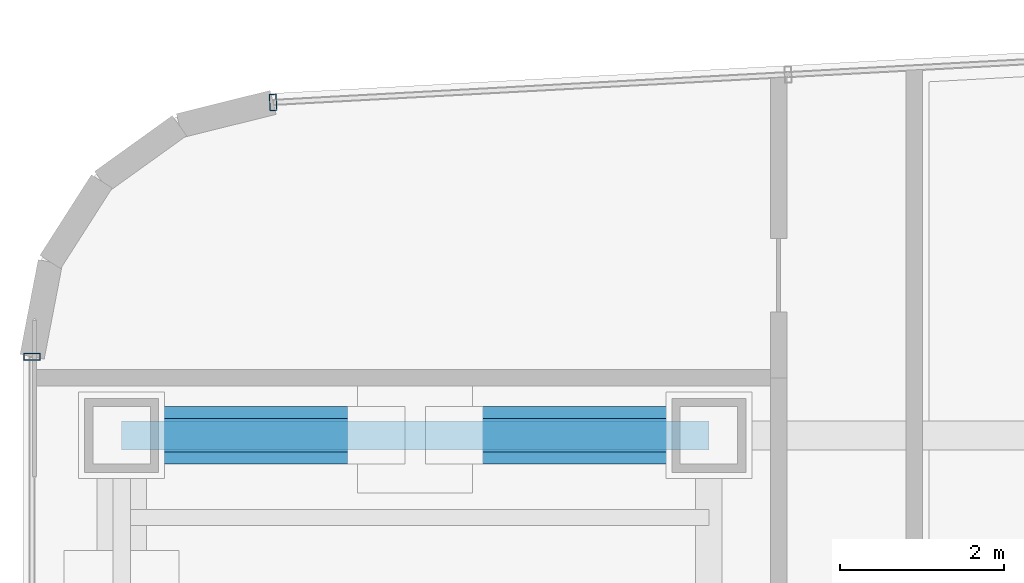
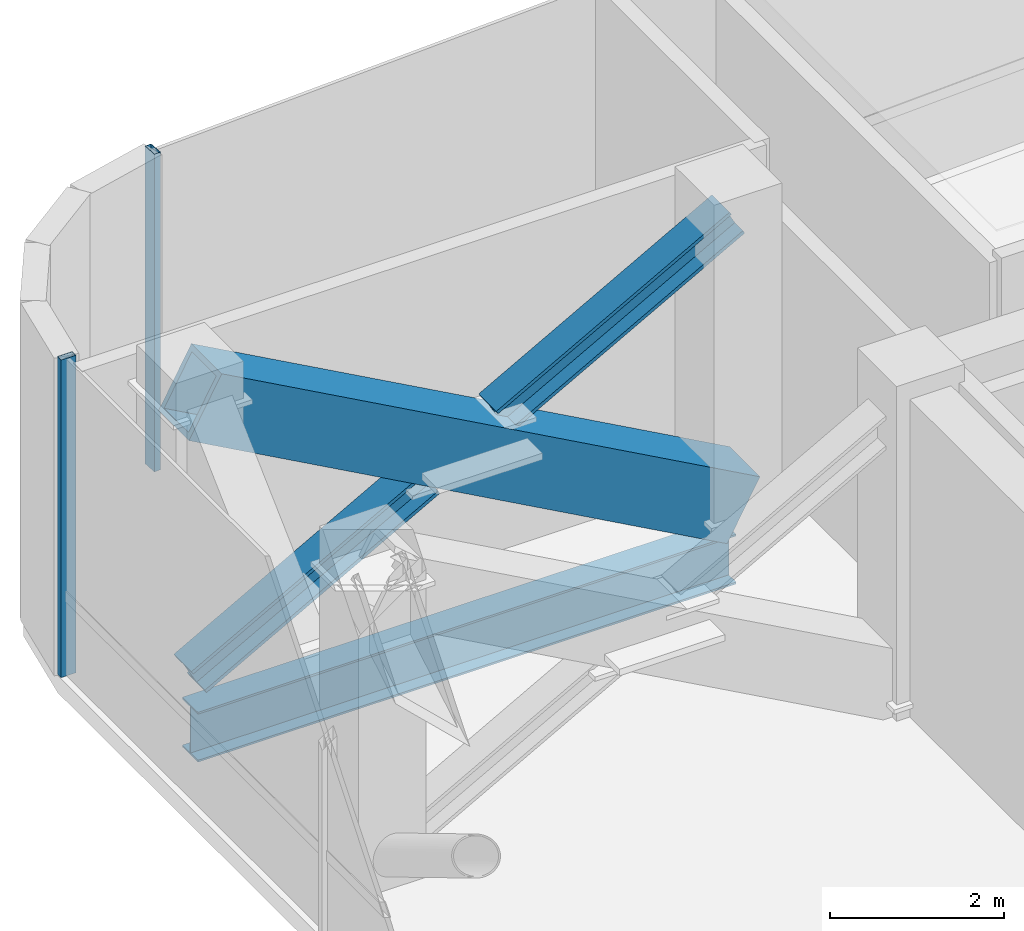
# One storey, part 11 of 20: 5 members, 1 beam, 2 elements without a shape of their own.
"""IFC4 building model written with IfcOpenShell, lengths in metres."""

import ifcopenshell
import ifcopenshell.guid

model = None  # the IFC model being written
_history = None  # IfcOwnerHistory: only IFC2X3 demands one
_inside = {}  # id of a spatial element -> (the spatial element, [elements in it])
_under = {}  # id of a project, library or spatial element -> (it, [spatial elements below it])
_declared = {}  # id of a project -> (the project, [libraries it declares])
_typed = {}  # id of a type object -> (the type object, [elements of that type])
_made_of = {}  # id of a material, layer set ... -> (it, [elements and type objects made of it])


def new_model(schema):
    """Start an empty IFC model of exactly this schema.

    Asked for "IFC4X3", IfcOpenShell would pick the latest addendum, in which some entities
    have other attributes; the version numbers below select the first issue.
    IFC2X3 requires an IfcOwnerHistory on every rooted entity: one is made here for all.
    """
    global model, _history
    if schema == "IFC4X3":
        model = ifcopenshell.file(schema_version=(4, 3, 0, 0))
    else:
        model = ifcopenshell.file(schema=schema)
    _inside.clear()
    _under.clear()
    _declared.clear()
    _typed.clear()
    _made_of.clear()
    _history = None
    if model.schema == "IFC2X3":
        org = make("IfcOrganization", Name="unknown")
        user = make(
            "IfcPersonAndOrganization",
            ThePerson=make("IfcPerson", FamilyName="unknown"),
            TheOrganization=org,
        )
        app = make(
            "IfcApplication",
            ApplicationDeveloper=org,
            Version="unknown",
            ApplicationFullName="unknown",
            ApplicationIdentifier="unknown",
        )
        _history = make(
            "IfcOwnerHistory",
            OwningUser=user,
            OwningApplication=app,
            ChangeAction="ADDED",
            CreationDate=0,
        )
    return model


def make(cls, **values):
    """One entity of the class cls with the attributes given. An attribute that is None is left unset."""
    return model.create_entity(
        cls, **{name: value for name, value in values.items() if value is not None}
    )


def rooted(cls, **values):
    """An entity with a GlobalId (a new one), such as an element, a storey or a relation."""
    return make(cls, GlobalId=ifcopenshell.guid.new(), OwnerHistory=_history, **values)


def si_unit(unit_type, name, prefix=None):
    """IfcSIUnit, for example si_unit("LENGTHUNIT", "METRE", prefix="MILLI")."""
    return make("IfcSIUnit", UnitType=unit_type, Prefix=prefix, Name=name)


def assignment(units):
    """IfcUnitAssignment: the units of a project."""
    return None if units is None else make("IfcUnitAssignment", Units=units)


def point(xyz):
    """IfcCartesianPoint."""
    return None if xyz is None else make("IfcCartesianPoint", Coordinates=xyz)


def direction(xyz):
    """IfcDirection."""
    return None if xyz is None else make("IfcDirection", DirectionRatios=xyz)


def frame(location, z_axis=None, x_axis=None):
    """IfcAxis2Placement3D, a coordinate frame: its origin and axes. An axis left out is left unset."""
    return make(
        "IfcAxis2Placement3D",
        Location=point(location),
        Axis=direction(z_axis),
        RefDirection=direction(x_axis),
    )


def frame_2d(location, x_axis=None):
    """IfcAxis2Placement2D, a coordinate frame in the plane: its origin and x axis."""
    return make(
        "IfcAxis2Placement2D", Location=point(location), RefDirection=direction(x_axis)
    )


def origin():
    """The frame at (0, 0, 0) with its axes left unset."""
    return frame((0.0, 0.0, 0.0))


def origin_2d():
    """The frame at (0, 0) in the plane with its x axis left unset."""
    return frame_2d((0.0, 0.0))


def place(relative_to, where):
    """IfcLocalPlacement: puts the frame where relative to a parent placement (None: the world)."""
    return make(
        "IfcLocalPlacement", PlacementRelTo=relative_to, RelativePlacement=where
    )


def context(
    kind, dimensions, precision=None, world=None, true_north=None, identifier=None
):
    """IfcGeometricRepresentationContext, for example the 3D "Model" context."""
    return make(
        "IfcGeometricRepresentationContext",
        ContextIdentifier=identifier,
        ContextType=kind,
        CoordinateSpaceDimension=dimensions,
        Precision=precision,
        WorldCoordinateSystem=world,
        TrueNorth=true_north,
    )


def subcontext(parent, identifier, kind, view, scale=None):
    """IfcGeometricRepresentationSubContext, for example "Body" below "Model"."""
    return make(
        "IfcGeometricRepresentationSubContext",
        ContextIdentifier=identifier,
        ContextType=kind,
        ParentContext=parent,
        TargetScale=scale,
        TargetView=view,
    )


def project(units=None, contexts=None):
    """IfcProject with its units and contexts."""
    return rooted(
        "IfcProject",
        Name="project",
        RepresentationContexts=contexts,
        UnitsInContext=assignment(units),
    )


def spatial(cls, under=None, at=None, **own):
    """A site, building, storey or space (cls), placed at a placement, below another one or the project."""
    s = rooted(cls, ObjectPlacement=at, **own)
    if under is not None:
        _under.setdefault(under.id(), (under, []))[1].append(s)
    return s


def profile(cls, at=None, kind="AREA", **sizes):
    """A parametric profile (cls). Its sizes go by their IFC names, for example OverallWidth=200.0."""
    return make(cls, ProfileType=kind, Position=at, **sizes)


def hollow_rectangle(**sizes):
    """IfcRectangleHollowProfileDef."""
    return profile("IfcRectangleHollowProfileDef", **sizes)


def i_section(**sizes):
    """IfcIShapeProfileDef."""
    return profile("IfcIShapeProfileDef", **sizes)


def extrude(swept, where, along, depth):
    """IfcExtrudedAreaSolid: the profile swept, set in the frame where, extruded along a direction by depth."""
    return make(
        "IfcExtrudedAreaSolid",
        SweptArea=swept,
        Position=where,
        ExtrudedDirection=direction(along),
        Depth=depth,
    )


def shape(context_of_items, identifier, shape_type, items):
    """IfcShapeRepresentation: the items that make up one representation, for example the "Body"."""
    return make(
        "IfcShapeRepresentation",
        ContextOfItems=context_of_items,
        RepresentationIdentifier=identifier,
        RepresentationType=shape_type,
        Items=items,
    )


def source(mapping_origin, context_of_items, identifier, shape_type, items):
    """IfcRepresentationMap: a shape defined once, which mapped items show again and again."""
    return make(
        "IfcRepresentationMap",
        MappingOrigin=mapping_origin,
        MappedRepresentation=shape(context_of_items, identifier, shape_type, items),
    )


def transform(
    local_origin,
    x_axis=None,
    y_axis=None,
    z_axis=None,
    scale=None,
    scale2=None,
    scale3=None,
    uniform=True,
):
    """IfcCartesianTransformationOperator3D, or its non-uniform kind. x_axis, y_axis, z_axis: its Axis1, 2, 3."""
    if uniform:
        return make(
            "IfcCartesianTransformationOperator3D",
            Axis1=direction(x_axis),
            Axis2=direction(y_axis),
            LocalOrigin=point(local_origin),
            Scale=scale,
            Axis3=direction(z_axis),
        )
    return make(
        "IfcCartesianTransformationOperator3DnonUniform",
        Axis1=direction(x_axis),
        Axis2=direction(y_axis),
        LocalOrigin=point(local_origin),
        Scale=scale,
        Axis3=direction(z_axis),
        Scale2=scale2,
        Scale3=scale3,
    )


def mapped(mapping_source, mapping_target):
    """IfcMappedItem: shows the shape of a source again, moved by a transform."""
    return make(
        "IfcMappedItem", MappingSource=mapping_source, MappingTarget=mapping_target
    )


def material(Name=None, Category=None):
    """IfcMaterial."""
    return make("IfcMaterial", Name=Name, Category=Category)


def material_profile(
    of_material, cross_section, Name=None, Category=None, Priority=None
):
    """IfcMaterialProfile: a cross section and its material."""
    return make(
        "IfcMaterialProfile",
        Name=Name,
        Material=of_material,
        Profile=cross_section,
        Priority=Priority,
        Category=Category,
    )


def profile_set(profiles, Name=None, composite=None):
    """IfcMaterialProfileSet."""
    return make(
        "IfcMaterialProfileSet",
        Name=Name,
        MaterialProfiles=profiles,
        CompositeProfile=composite,
    )


def made_of(thing, what):
    """Note that an element or type object is made of a material, layer set ...; save() writes the relation."""
    if what is not None:
        _made_of.setdefault(what.id(), (what, []))[1].append(thing)
    return thing


def type_object(cls, material=None, **own):
    """A type object (cls), such as IfcWallType, which elements share."""
    return made_of(rooted(cls, **own), material)


def element(
    cls,
    number,
    at=None,
    inside=None,
    cuts=None,
    type_object=None,
    material=None,
    context=None,
    identifier="Body",
    shape_type=None,
    held_by="IfcProductDefinitionShape",
    body=None,
    shapes=None,
    **own,
):
    """One element of the class cls, such as IfcWall. Its Tag is "e" and its number.

    at: its placement. inside: the storey or other place that contains it. cuts: it is an
    opening in that element (IfcRelVoidsElement). A single representation is given by context,
    identifier, shape_type and body (its items); several are given by shapes. held_by: the class
    of the entity that holds the representations. save() writes the other relations.
    """
    e = rooted(cls, Tag="e%d" % number, ObjectPlacement=at, **own)
    if body is not None:
        shapes = [shape(context, identifier, shape_type, body)]
    if shapes is not None:
        e.Representation = make(held_by, Representations=shapes)
    if inside is not None:
        _inside.setdefault(inside.id(), (inside, []))[1].append(e)
    if cuts is not None:
        rooted(
            "IfcRelVoidsElement", RelatingBuildingElement=cuts, RelatedOpeningElement=e
        )
    if type_object is not None:
        _typed.setdefault(type_object.id(), (type_object, []))[1].append(e)
    return made_of(e, material)


def aggregate(whole, parts):
    """IfcRelAggregates: a whole, such as a stair, and the parts it consists of."""
    return rooted("IfcRelAggregates", RelatingObject=whole, RelatedObjects=parts)


def save(model, path):
    """Write the relations noted so far, then the file.

    IfcRelAggregates (storeys below a building ...), IfcRelContainedInSpatialStructure (elements
    in a storey), IfcRelDefinesByType, IfcRelAssociatesMaterial and IfcRelDeclares: one each for
    every whole, place, type object, material and project.
    """
    for whole, parts in _under.values():
        aggregate(whole, parts)
    for where, things in _inside.values():
        rooted(
            "IfcRelContainedInSpatialStructure",
            RelatedElements=things,
            RelatingStructure=where,
        )
    for kind, things in _typed.values():
        rooted("IfcRelDefinesByType", RelatedObjects=things, RelatingType=kind)
    for what, things in _made_of.values():
        rooted("IfcRelAssociatesMaterial", RelatedObjects=things, RelatingMaterial=what)
    for by, libraries in _declared.values():
        rooted("IfcRelDeclares", RelatingContext=by, RelatedDefinitions=libraries)
    model.write(path)


model = new_model("IFC4")

# Units and contexts
model_context = context("Model", 3, precision=1e-05, world=origin(), true_north=direction((0.0, 1.0)))
body_context = subcontext(model_context, "Body", "Model", "MODEL_VIEW")
ifc_project = project(units=[si_unit("LENGTHUNIT", "METRE"), si_unit("AREAUNIT", "SQUARE_METRE"), si_unit("VOLUMEUNIT", "CUBIC_METRE"), si_unit("PLANEANGLEUNIT", "RADIAN"), si_unit("MASSUNIT", "GRAM", prefix="KILO")], contexts=[model_context])

# Site, building, storey
site_placement = place(None, origin())
site = spatial("IfcSite", under=ifc_project, at=site_placement, CompositionType="ELEMENT")
building_placement = place(site_placement, origin())
building = spatial("IfcBuilding", under=site, at=building_placement, Name="Valdorenza Pilgrim Sanctuary Tower", CompositionType="ELEMENT")
storey_placement = place(building_placement, frame((0.0, 0.0, 196.300048828125)))
storey = spatial("IfcBuildingStorey", under=building, at=storey_placement, Name="L50", CompositionType="ELEMENT", Elevation=196.300048828125)

# Beam
ifc_material_1 = material(Name="Steel ASTM A992 Grade 50", Category="steel")
ifc_material_profile_1 = material_profile(ifc_material_1, i_section(OverallWidth=0.35595703125, OverallDepth=0.700927734375, WebThickness=0.016845703125, FlangeThickness=0.02734375, at=origin_2d()), Name="W27X161")
ifc_profile_set_1 = profile_set([ifc_material_profile_1], Name="Steel ASTM A992 Grade 50")
beam_type = type_object("IfcBeamType", Name="STR-BM-GRD-W27", PredefinedType="BEAM", material=ifc_profile_set_1)
shared_shape_1 = source(origin(), body_context, "Body", "SweptSolid", [
    extrude(i_section(OverallWidth=0.35595703125, OverallDepth=0.700927734375, WebThickness=0.016845703125, FlangeThickness=0.02734375, at=origin_2d()), origin(), (0.0, 0.0, 1.0), 7.150146484375),
])
beam_placement = place(storey_placement, frame((-29.800048828125, 14.800048828125, -0.590576171875), z_axis=(1.0, 0.0, 0.0), x_axis=(0.0, 1.0, 0.0)))
element("IfcBeam", 1, at=beam_placement, inside=storey, type_object=beam_type, Name="L50 Floor Girder WA-XW-N2", PredefinedType="BEAM", context=body_context, shape_type="MappedRepresentation", body=[
    mapped(shared_shape_1, transform((0.0, 0.0, 0.0), x_axis=(1.0, 0.0, 0.0), y_axis=(0.0, 1.0, 0.0), z_axis=(0.0, 0.0, 1.0), scale=1.0)),
])

# Members
ifc_material_2 = material(Name="Steel ASTM A572 Grade 42", Category="steel")
ifc_material_profile_2 = material_profile(ifc_material_2, hollow_rectangle(XDim=0.699951171875, YDim=0.89990234375, WallThickness=0.070068359375, at=origin_2d()), Name="BOX 900x700x70")
ifc_profile_set_2 = profile_set([ifc_material_profile_2], Name="Steel ASTM A572 Grade 42")
member_type_1 = type_object("IfcMemberType", Name="STR-MB-OUT-BOX900", PredefinedType="BRACE", material=ifc_profile_set_2)
shared_shape_2 = source(origin(), body_context, "Body", "SweptSolid", [
    extrude(hollow_rectangle(XDim=0.699951171875, YDim=0.89990234375, WallThickness=0.070068359375, at=origin_2d()), origin(), (0.0, 0.0, 1.0), 8.168701171875),
])
member_1_placement = place(storey_placement, frame((-22.64990234375, 14.800048828125, 0.199951171875), z_axis=(-0.875316441989, 0.0, 0.483550541706), x_axis=(0.0, -1.0, 0.0)))
element("IfcMember", 2, at=member_1_placement, inside=storey, type_object=member_type_1, Name="L50 Outrigger Truss Diagonal WA4A", PredefinedType="BRACE", context=body_context, shape_type="MappedRepresentation", body=[
    mapped(shared_shape_2, transform((0.0, 0.0, 0.0), x_axis=(1.0, 0.0, 0.0), y_axis=(0.0, 1.0, 0.0), z_axis=(0.0, 0.0, 1.0), scale=1.0)),
])
ifc_material_profile_3 = material_profile(ifc_material_1, i_section(OverallWidth=0.406005859375, OverallDepth=0.416015625, WebThickness=0.02978515625, FlangeThickness=0.048095703125, at=origin_2d()), Name="W14X257")
ifc_profile_set_3 = profile_set([ifc_material_profile_3], Name="Steel ASTM A992 Grade 50")
member_type_2 = type_object("IfcMemberType", Name="STR-MB-OUT-W257", PredefinedType="BRACE", material=ifc_profile_set_3)
shared_shape_3 = source(origin(), body_context, "Body", "SweptSolid", [
    extrude(i_section(OverallWidth=0.406005859375, OverallDepth=0.416015625, WebThickness=0.02978515625, FlangeThickness=0.048095703125, at=origin_2d()), origin(), (0.0, 0.0, 1.0), 3.540771484375),
])
for number, where, z_axis, x_axis, name in (
    (3, (-22.64990234375, 14.800048828125, 4.14990234375), (-0.875319106546, 0.0, -0.483545718331), (0.0, -1.0, 0.0), "L50 Outrigger Truss Counter-Diagonal WA4B Lower Segment"),
    (4, (-26.70068359375, 14.800048828125, 1.912109375), (-0.875319106546, 0.0, -0.483545718331), (0.0, -1.0, 0.0), "L50 Outrigger Truss Counter-Diagonal WA4B Upper Segment"),
):
    element("IfcMember", number, at=place(storey_placement, frame(where, z_axis=z_axis, x_axis=x_axis)), inside=storey, type_object=member_type_2, Name=name, PredefinedType="BRACE", context=body_context, shape_type="MappedRepresentation", body=[
        mapped(shared_shape_3, transform((0.0, 0.0, 0.0), x_axis=(1.0, 0.0, 0.0), y_axis=(0.0, 1.0, 0.0), z_axis=(0.0, 0.0, 1.0), scale=1.0)),
    ])

# Curtain wall, member
ifc_material_3 = material(Name="Curtain-wall IGU glazing", Category="glass")
curtain_wall_type = type_object("IfcCurtainWallType", Name="CW-SYS-02", PredefinedType="NOTDEFINED", material=ifc_material_3)
curtain_wall_1_placement = place(storey_placement, origin())
curtain_wall_1 = element("IfcCurtainWall", 5, at=curtain_wall_1_placement, inside=storey, type_object=curtain_wall_type, Name="L50 Curtain Wall CW-L50-1-1", PredefinedType="NOTDEFINED")
ifc_material_4 = material(Name="Anodised aluminium AW-6060", Category="aluminium")
ifc_material_profile_4 = material_profile(ifc_material_4, hollow_rectangle(XDim=0.0849609375, YDim=0.199951171875, WallThickness=0.0048828125, at=origin_2d()), Name="ALU-M 200x85x5")
ifc_profile_set_4 = profile_set([ifc_material_profile_4], Name="Anodised aluminium AW-6060")
member_type_3 = type_object("IfcMemberType", Name="CW-MUL-02", PredefinedType="MULLION", material=ifc_profile_set_4)
shared_shape_4 = source(origin(), body_context, "Body", "SweptSolid", [
    extrude(hollow_rectangle(XDim=0.0849609375, YDim=0.199951171875, WallThickness=0.0048828125, at=origin_2d()), origin(), (0.0, 0.0, 1.0), 4.4599609375),
])
member_2_placement = place(storey_placement, frame((-30.889892578125, 15.757568359375, 0.0), z_axis=(0.0, 0.0, 1.0), x_axis=(0.0, 1.0, 0.0)))
member_2 = element("IfcMember", 6, at=member_2_placement, type_object=member_type_3, Name="CW-L50-1-1 Mullion 6", PredefinedType="MULLION", context=body_context, shape_type="MappedRepresentation", body=[
    mapped(shared_shape_4, transform((0.0, 0.0, 0.0), x_axis=(1.0, 0.0, 0.0), y_axis=(0.0, 1.0, 0.0), z_axis=(0.0, 0.0, 1.0), scale=1.0)),
])
aggregate(curtain_wall_1, [member_2])

curtain_wall_2_placement = place(storey_placement, origin())
curtain_wall_2 = element("IfcCurtainWall", 7, at=curtain_wall_2_placement, inside=storey, type_object=curtain_wall_type, Name="L50 Curtain Wall CW-L50-1-6", PredefinedType="NOTDEFINED")
member_3_placement = place(storey_placement, frame((-27.9560546875, 18.85400390625, 0.0), z_axis=(0.0, 0.0, 1.0), x_axis=(0.998547034311, 0.053887106711, 0.0)))
member_3 = element("IfcMember", 8, at=member_3_placement, type_object=member_type_3, Name="CW-L50-1-6 Mullion 1", PredefinedType="MULLION", context=body_context, shape_type="MappedRepresentation", body=[
    mapped(shared_shape_4, transform((0.0, 0.0, 0.0), x_axis=(1.0, 0.0, 0.0), y_axis=(0.0, 1.0, 0.0), z_axis=(0.0, 0.0, 1.0), scale=1.0)),
])
aggregate(curtain_wall_2, [member_3])

save(model, "model.ifc")
